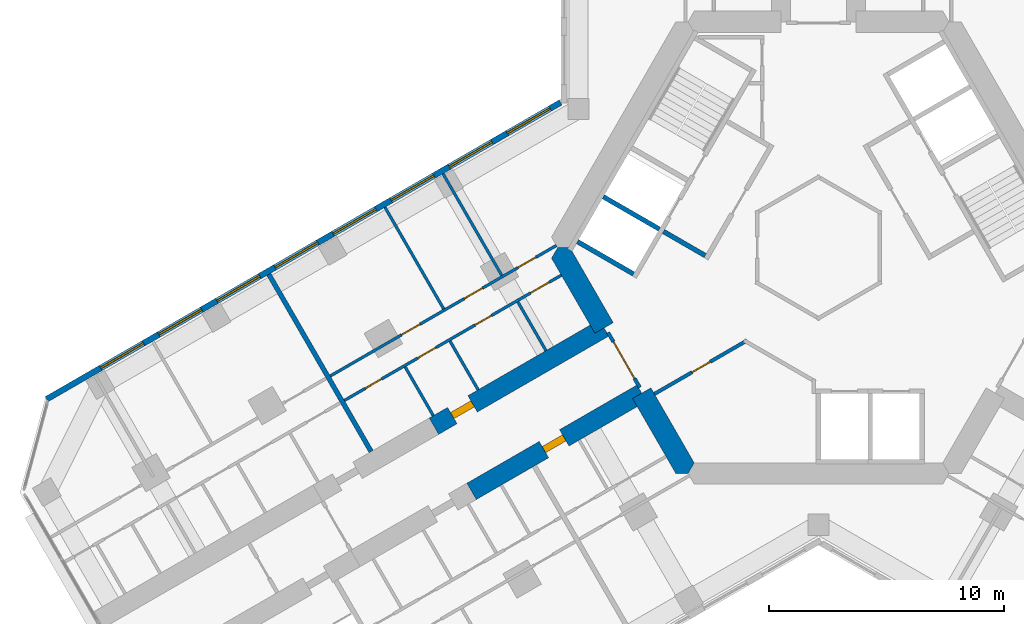
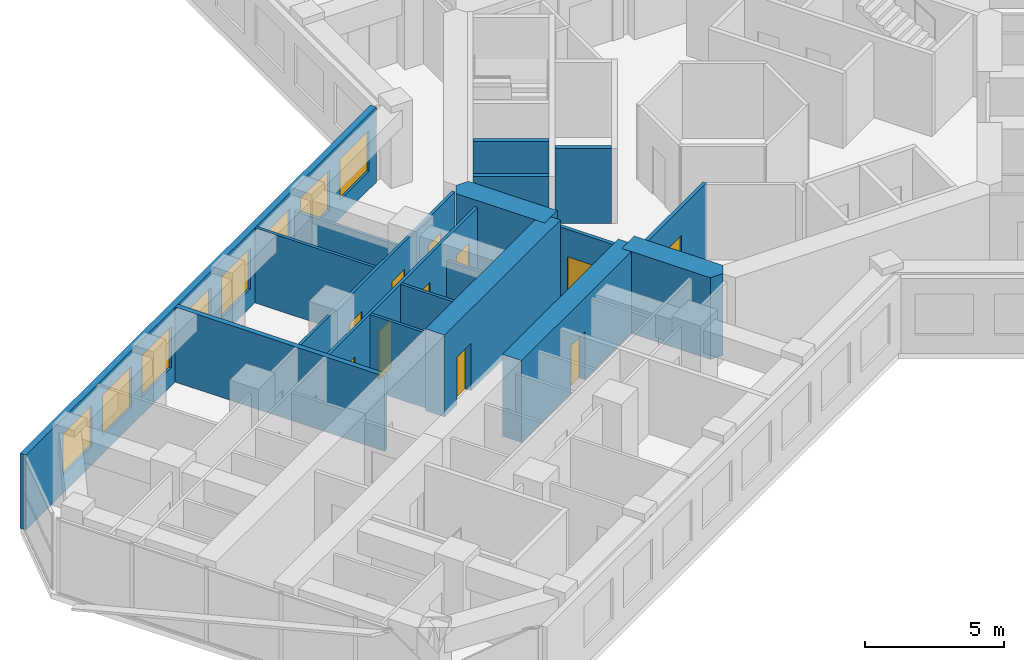
# One storey, part 12 of 20: 18 walls, 11 doors, 8 windows, 19 openings.
"""IFC4 building model written with IfcOpenShell, lengths in metres."""

from ifc_helpers import new_model, si_unit, direction, frame, frame_2d, origin, place, context, subcontext, project, spatial, polyline, rectangle, outline, extrude, material, layer, layer_set, type_object, element, fill, save


model = new_model("IFC4")

# Units and contexts
model_context = context("Model", 3, precision=1e-05, world=origin(), true_north=direction((0.0, 1.0)))
body_context = subcontext(model_context, "Body", "Model", "MODEL_VIEW")
ifc_project = project(units=[si_unit("LENGTHUNIT", "METRE"), si_unit("AREAUNIT", "SQUARE_METRE"), si_unit("VOLUMEUNIT", "CUBIC_METRE"), si_unit("PLANEANGLEUNIT", "RADIAN"), si_unit("MASSUNIT", "GRAM", prefix="KILO")], contexts=[model_context])

# Site, building, storey
site_placement = place(None, origin())
site = spatial("IfcSite", under=ifc_project, at=site_placement, CompositionType="ELEMENT")
building_placement = place(site_placement, origin())
building = spatial("IfcBuilding", under=site, at=building_placement, Name="Kosmar Iwan School Tower", CompositionType="ELEMENT")
storey_placement = place(building_placement, frame((0.0, 0.0, 183.199951171875)))
storey = spatial("IfcBuildingStorey", under=building, at=storey_placement, Name="L46", CompositionType="ELEMENT", Elevation=183.199951171875)

# Wall, opening, door
ifc_material_1 = material(Name="Gypsum board on steel studs, fire-rated", Category="steel")
ifc_layer_1 = layer(ifc_material_1, 0.14990234375)
ifc_layer_set_1 = layer_set([ifc_layer_1], Name="Core room partition 150")
wall_type_1 = type_object("IfcWallType", Name="Core room partition 150", PredefinedType="PARTITIONING", material=ifc_layer_set_1)
wall_1_placement = place(storey_placement, frame((-6.978515625, -6.222900390625, 0.0), z_axis=(0.0, 0.0, 1.0), x_axis=(0.866033797781, 0.49998546089, 0.0)))
wall_1 = element("IfcWall", 1, at=wall_1_placement, inside=storey, type_object=wall_type_1, Name="Core room partition L46-CW5", PredefinedType="PARTITIONING", context=body_context, shape_type="SweptSolid", body=[
    extrude(rectangle(XDim=4.553466796875, YDim=0.14990234375, at=frame_2d((2.27685546875, 0.0))), origin(), (0.0, 0.0, 1.0), 3.300048828125),
])
opening_1_placement = place(wall_1_placement, frame((1.846923828125, 0.0, 0.0)))
opening_1 = element("IfcOpeningElement", 2, at=opening_1_placement, cuts=wall_1, Name="Opening D14", PredefinedType="OPENING", context=body_context, shape_type="SweptSolid", body=[
    extrude(rectangle(XDim=0.89990234375, YDim=2.10009765625, at=frame_2d((0.449951171875, 1.050048828125))), frame((0.0, 0.0869140625, 0.0), z_axis=(0.0, -1.0, 0.0), x_axis=(1.0, 0.0, 0.0)), (0.0, 0.0, 1.0), 0.173828125),
])
ifc_material_2 = material(Name="Timber fire door in steel frame", Category="steel")
door_type_1 = type_object("IfcDoorType", Name="Core room door 900x2100", OperationType="SINGLE_SWING_LEFT", PredefinedType="DOOR", material=ifc_material_2)
door_1_placement = place(opening_1_placement, origin())
door_1 = element("IfcDoor", 3, at=door_1_placement, inside=storey, type_object=door_type_1, Name="Pram and buggy store door L46 3", OperationType="SINGLE_SWING_LEFT", OverallHeight=2.10009765625, OverallWidth=0.89990234375, PredefinedType="DOOR", context=body_context, shape_type="SweptSolid", body=[
    extrude(rectangle(XDim=0.89990234375, YDim=2.10009765625, at=frame_2d((0.449951171875, 1.050048828125))), frame((0.0, 0.02490234375, 0.0), z_axis=(0.0, -1.0, 0.0), x_axis=(1.0, 0.0, 0.0)), (0.0, 0.0, 1.0), 0.050048828125),
])
fill(opening_1, door_1)

# Walls
ifc_material_3 = material(Name="Concrete C50/60", Category="concrete")
ifc_layer_2 = layer(ifc_material_3, 0.89990234375)
ifc_layer_set_2 = layer_set([ifc_layer_2], Name="Core wall 900")
wall_type_2 = type_object("IfcWallType", Name="Core wall 900", PredefinedType="SHEAR", material=ifc_layer_set_2)
wall_2_placement = place(storey_placement, origin())
element("IfcWall", 4, at=wall_2_placement, inside=storey, type_object=wall_type_2, Name="Core wall F210a", PredefinedType="SHEAR", context=body_context, shape_type="SweptSolid", body=[
    extrude(outline(polyline([(-9.503662109375, -3.639404296875), (-8.72412109375, -3.189453125), (-10.5654296875, 0.0), (-11.085205078125, 0.0), (-11.344970703125, -0.449951171875), (-9.503662109375, -3.639404296875)])), origin(), (0.0, 0.0, 1.0), 3.60009765625),
])
wall_3_placement = place(storey_placement, origin())
element("IfcWall", 5, at=wall_3_placement, inside=storey, type_object=wall_type_2, Name="Core wall F210b", PredefinedType="SHEAR", context=body_context, shape_type="SweptSolid", body=[
    extrude(outline(polyline([(-6.062255859375, -9.60009765625), (-5.54248046875, -9.60009765625), (-5.28271484375, -9.14990234375), (-7.1240234375, -5.960693359375), (-7.903564453125, -6.41064453125), (-6.062255859375, -9.60009765625)])), origin(), (0.0, 0.0, 1.0), 3.60009765625),
])

# Wall, opening, door
ifc_material_4 = material(Name="Concrete C50/60", Category="concrete")
ifc_layer_3 = layer(ifc_material_4, 0.800048828125)
ifc_layer_set_3 = layer_set([ifc_layer_3], Name="Corridor buttress wall 800")
wall_type_3 = type_object("IfcWallType", Name="Corridor buttress wall 800", PredefinedType="SHEAR", material=ifc_layer_set_3)
wall_4_placement = place(storey_placement, frame((-7.513916015625, -6.185546875, 0.0), z_axis=(0.0, 0.0, 1.0), x_axis=(-0.866019549707, -0.500010139422, 0.0)))
wall_4 = element("IfcWall", 6, at=wall_4_placement, inside=storey, type_object=wall_type_3, Name="Corridor wall BL", PredefinedType="SHEAR", context=body_context, shape_type="SweptSolid", body=[
    extrude(rectangle(XDim=8.349853515625, YDim=0.800048828125, at=frame_2d((4.1748046875, 0.0))), origin(), (0.0, 0.0, 1.0), 3.60009765625),
])
opening_2_placement = place(wall_4_placement, frame((3.800048828125, 0.0, 0.0)))
opening_2 = element("IfcOpeningElement", 7, at=opening_2_placement, cuts=wall_4, Name="Opening D1", PredefinedType="OPENING", context=body_context, shape_type="SweptSolid", body=[
    extrude(rectangle(XDim=1.0, YDim=2.10009765625, at=frame_2d((0.5, 1.050048828125))), frame((0.0, 0.412109375, 0.0), z_axis=(0.0, -1.0, 0.0), x_axis=(1.0, 0.0, 0.0)), (0.0, 0.0, 1.0), 0.823974609375),
])
ifc_material_5 = material(Name="Timber fire door in steel frame", Category="steel")
door_type_2 = type_object("IfcDoorType", Name="Flat entrance door 1000x2100", OperationType="SINGLE_SWING_LEFT", PredefinedType="DOOR", material=ifc_material_5)
door_2_placement = place(opening_2_placement, origin())
door_2 = element("IfcDoor", 8, at=door_2_placement, inside=storey, type_object=door_type_2, Name="Flat L46-BL1 entrance door", OperationType="SINGLE_SWING_LEFT", OverallHeight=2.10009765625, OverallWidth=1.0, PredefinedType="DOOR", context=body_context, shape_type="SweptSolid", body=[
    extrude(rectangle(XDim=1.0, YDim=2.10009765625, at=frame_2d((0.5, 1.050048828125))), frame((0.0, 0.14990234375, 0.0), z_axis=(0.0, -1.0, 0.0), x_axis=(1.0, 0.0, 0.0)), (0.0, 0.0, 1.0), 0.300048828125),
])
fill(opening_2, door_2)

wall_5_placement = place(storey_placement, frame((-9.11376953125, -3.414306640625, 0.0), z_axis=(0.0, 0.0, 1.0), x_axis=(-0.866026859388, -0.499997478812, 0.0)))
wall_5 = element("IfcWall", 9, at=wall_5_placement, inside=storey, type_object=wall_type_3, Name="Corridor wall BR", PredefinedType="SHEAR", context=body_context, shape_type="SweptSolid", body=[
    extrude(rectangle(XDim=8.35009765625, YDim=0.800048828125, at=frame_2d((4.175048828125, 0.0))), origin(), (0.0, 0.0, 1.0), 3.60009765625),
])
opening_3_placement = place(wall_5_placement, frame((6.449951171875, 0.0, 0.0)))
opening_3 = element("IfcOpeningElement", 10, at=opening_3_placement, cuts=wall_5, Name="Opening D1", PredefinedType="OPENING", context=body_context, shape_type="SweptSolid", body=[
    extrude(rectangle(XDim=1.0, YDim=2.10009765625, at=frame_2d((0.5, 1.050048828125))), frame((0.0, 0.412109375, 0.0), z_axis=(0.0, -1.0, 0.0), x_axis=(1.0, 0.0, 0.0)), (0.0, 0.0, 1.0), 0.823974609375),
])
door_3_placement = place(opening_3_placement, origin())
door_3 = element("IfcDoor", 11, at=door_3_placement, inside=storey, type_object=door_type_2, Name="Flat L46-BR1 entrance door", OperationType="SINGLE_SWING_RIGHT", OverallHeight=2.10009765625, OverallWidth=1.0, PredefinedType="DOOR", context=body_context, shape_type="SweptSolid", body=[
    extrude(rectangle(XDim=1.0, YDim=2.10009765625, at=frame_2d((0.5, 1.050048828125))), frame((0.0, 0.14990234375, 0.0), z_axis=(0.0, -1.0, 0.0), x_axis=(1.0, 0.0, 0.0)), (0.0, 0.0, 1.0), 0.300048828125),
])
fill(opening_3, door_3)

ifc_material_6 = material(Name="Steel framed glazed screen", Category="steel")
ifc_layer_4 = layer(ifc_material_6, 0.14990234375)
ifc_layer_set_4 = layer_set([ifc_layer_4], Name="Corridor screen wall 150")
wall_type_4 = type_object("IfcWallType", Name="Corridor screen wall 150", PredefinedType="PARTITIONING", material=ifc_layer_set_4)
wall_6_placement = place(storey_placement, frame((-8.945556640625, -3.60595703125, 0.0), z_axis=(0.0, 0.0, 1.0), x_axis=(0.500048589285, -0.86599734893, 0.0)))
wall_6 = element("IfcWall", 12, at=wall_6_placement, inside=storey, type_object=wall_type_4, Name="Corridor screen B L46", PredefinedType="PARTITIONING", context=body_context, shape_type="SweptSolid", body=[
    extrude(rectangle(XDim=2.699951171875, YDim=0.14990234375, at=frame_2d((1.35009765625, 0.0))), origin(), (0.0, 0.0, 1.0), 3.300048828125),
])
opening_4_placement = place(wall_6_placement, frame((0.449951171875, 0.0, 0.0)))
opening_4 = element("IfcOpeningElement", 13, at=opening_4_placement, cuts=wall_6, Name="Opening D9", PredefinedType="OPENING", context=body_context, shape_type="SweptSolid", body=[
    extrude(rectangle(XDim=1.800048828125, YDim=2.10009765625, at=frame_2d((0.89990234375, 1.050048828125))), frame((0.0, 0.0869140625, 0.0), z_axis=(0.0, -1.0, 0.0), x_axis=(1.0, 0.0, 0.0)), (0.0, 0.0, 1.0), 0.173828125),
])
ifc_material_7 = material(Name="Steel framed glazed smoke door", Category="steel")
door_type_3 = type_object("IfcDoorType", Name="Corridor smoke door pair 1800x2100", OperationType="DOUBLE_DOOR_DOUBLE_SWING", PredefinedType="DOOR", material=ifc_material_7)
door_4_placement = place(opening_4_placement, origin())
door_4 = element("IfcDoor", 14, at=door_4_placement, inside=storey, type_object=door_type_3, Name="Corridor doors B L46", OperationType="DOUBLE_DOOR_DOUBLE_SWING", OverallHeight=2.10009765625, OverallWidth=1.800048828125, PredefinedType="DOOR", context=body_context, shape_type="SweptSolid", body=[
    extrude(rectangle(XDim=1.800048828125, YDim=2.10009765625, at=frame_2d((0.89990234375, 1.050048828125))), frame((0.0, 0.02490234375, 0.0), z_axis=(0.0, -1.0, 0.0), x_axis=(1.0, 0.0, 0.0)), (0.0, 0.0, 1.0), 0.050048828125),
])
fill(opening_4, door_4)

# Wall, openings, doors
ifc_material_8 = material(Name="Gypsum board on steel studs", Category="steel")
ifc_layer_5 = layer(ifc_material_8, 0.1201171875)
ifc_layer_set_5 = layer_set([ifc_layer_5], Name="Dwelling partition 120")
wall_type_5 = type_object("IfcWallType", Name="Dwelling partition 120", PredefinedType="PARTITIONING", material=ifc_layer_set_5)
wall_7_placement = place(storey_placement, frame((-10.928466796875, -1.171142578125, 0.0), z_axis=(0.0, 0.0, 1.0), x_axis=(-0.866032509089, -0.49998769305, 0.0)))
wall_7 = element("IfcWall", 15, at=wall_7_placement, inside=storey, type_object=wall_type_5, Name="Partition L46-BR1-W1", PredefinedType="PARTITIONING", context=body_context, shape_type="SweptSolid", body=[
    extrude(rectangle(XDim=10.650146484375, YDim=0.1201171875, at=frame_2d((5.3251953125, 0.0))), origin(), (0.0, 0.0, 1.0), 3.300048828125),
])
opening_5_placement = place(wall_7_placement, frame((0.610107421875, 0.0, 0.0)))
opening_5 = element("IfcOpeningElement", 16, at=opening_5_placement, cuts=wall_7, Name="Opening D2", PredefinedType="OPENING", context=body_context, shape_type="SweptSolid", body=[
    extrude(rectangle(XDim=0.89990234375, YDim=2.10009765625, at=frame_2d((0.449951171875, 1.050048828125))), frame((0.0, 0.072021484375, 0.0), z_axis=(0.0, -1.0, 0.0), x_axis=(1.0, 0.0, 0.0)), (0.0, 0.0, 1.0), 0.14404296875),
])
opening_6_placement = place(wall_7_placement, frame((3.43505859375, 0.0, 0.0)))
opening_6 = element("IfcOpeningElement", 17, at=opening_6_placement, cuts=wall_7, Name="Opening D3", PredefinedType="OPENING", context=body_context, shape_type="SweptSolid", body=[
    extrude(rectangle(XDim=0.800048828125, YDim=2.10009765625, at=frame_2d((0.39990234375, 1.050048828125))), frame((0.0, 0.072021484375, 0.0), z_axis=(0.0, -1.0, 0.0), x_axis=(1.0, 0.0, 0.0)), (0.0, 0.0, 1.0), 0.14404296875),
])
opening_7_placement = place(wall_7_placement, frame((6.14990234375, 0.0, 0.0)))
opening_7 = element("IfcOpeningElement", 18, at=opening_7_placement, cuts=wall_7, Name="Opening D2", PredefinedType="OPENING", context=body_context, shape_type="SweptSolid", body=[
    extrude(rectangle(XDim=0.89990234375, YDim=2.10009765625, at=frame_2d((0.449951171875, 1.050048828125))), frame((0.0, 0.072021484375, 0.0), z_axis=(0.0, -1.0, 0.0), x_axis=(1.0, 0.0, 0.0)), (0.0, 0.0, 1.0), 0.14404296875),
])
opening_8_placement = place(wall_7_placement, frame((8.824951171875, 0.0, 0.0)))
opening_8 = element("IfcOpeningElement", 19, at=opening_8_placement, cuts=wall_7, Name="Opening D3", PredefinedType="OPENING", context=body_context, shape_type="SweptSolid", body=[
    extrude(rectangle(XDim=0.800048828125, YDim=2.10009765625, at=frame_2d((0.39990234375, 1.050048828125))), frame((0.0, 0.072021484375, 0.0), z_axis=(0.0, -1.0, 0.0), x_axis=(1.0, 0.0, 0.0)), (0.0, 0.0, 1.0), 0.14404296875),
])
ifc_material_9 = material(Name="Timber door in timber frame", Category="wood")
door_type_4 = type_object("IfcDoorType", Name="Internal door 900x2100", OperationType="SINGLE_SWING_LEFT", PredefinedType="DOOR", material=ifc_material_9)
door_5_placement = place(opening_5_placement, origin())
door_5 = element("IfcDoor", 20, at=door_5_placement, inside=storey, type_object=door_type_4, Name="Pantry door L46-BR1-S1", OperationType="SINGLE_SWING_LEFT", OverallHeight=2.10009765625, OverallWidth=0.89990234375, PredefinedType="DOOR", context=body_context, shape_type="SweptSolid", body=[
    extrude(rectangle(XDim=0.89990234375, YDim=2.10009765625, at=frame_2d((0.449951171875, 1.050048828125))), frame((0.0, 0.02490234375, 0.0), z_axis=(0.0, -1.0, 0.0), x_axis=(1.0, 0.0, 0.0)), (0.0, 0.0, 1.0), 0.050048828125),
])
fill(opening_5, door_5)
door_6_placement = place(opening_7_placement, origin())
door_6 = element("IfcDoor", 21, at=door_6_placement, inside=storey, type_object=door_type_4, Name="Entrance hall door L46-BR1-S3", OperationType="SINGLE_SWING_LEFT", OverallHeight=2.10009765625, OverallWidth=0.89990234375, PredefinedType="DOOR", context=body_context, shape_type="SweptSolid", body=[
    extrude(rectangle(XDim=0.89990234375, YDim=2.10009765625, at=frame_2d((0.449951171875, 1.050048828125))), frame((0.0, 0.02490234375, 0.0), z_axis=(0.0, -1.0, 0.0), x_axis=(1.0, 0.0, 0.0)), (0.0, 0.0, 1.0), 0.050048828125),
])
fill(opening_7, door_6)
ifc_material_10 = material(Name="Timber door in timber frame", Category="wood")
door_type_5 = type_object("IfcDoorType", Name="Sanitary room door 800x2100", OperationType="SINGLE_SWING_LEFT", PredefinedType="DOOR", material=ifc_material_10)
door_7_placement = place(opening_6_placement, origin())
door_7 = element("IfcDoor", 22, at=door_7_placement, inside=storey, type_object=door_type_5, Name="Bathroom door L46-BR1-S2", OperationType="SINGLE_SWING_RIGHT", OverallHeight=2.10009765625, OverallWidth=0.800048828125, PredefinedType="DOOR", context=body_context, shape_type="SweptSolid", body=[
    extrude(rectangle(XDim=0.800048828125, YDim=2.10009765625, at=frame_2d((0.39990234375, 1.050048828125))), frame((0.0, 0.02490234375, 0.0), z_axis=(0.0, -1.0, 0.0), x_axis=(1.0, 0.0, 0.0)), (0.0, 0.0, 1.0), 0.050048828125),
])
fill(opening_6, door_7)
door_8_placement = place(opening_8_placement, origin())
door_8 = element("IfcDoor", 23, at=door_8_placement, inside=storey, type_object=door_type_5, Name="WC door L46-BR1-S4", OperationType="SINGLE_SWING_RIGHT", OverallHeight=2.10009765625, OverallWidth=0.800048828125, PredefinedType="DOOR", context=body_context, shape_type="SweptSolid", body=[
    extrude(rectangle(XDim=0.800048828125, YDim=2.10009765625, at=frame_2d((0.39990234375, 1.050048828125))), frame((0.0, 0.02490234375, 0.0), z_axis=(0.0, -1.0, 0.0), x_axis=(1.0, 0.0, 0.0)), (0.0, 0.0, 1.0), 0.050048828125),
])
fill(opening_8, door_8)

wall_8_placement = place(storey_placement, frame((-11.138916015625, 0.093017578125, 0.0), z_axis=(0.0, 0.0, 1.0), x_axis=(-0.866021494144, -0.500006771635, 0.0)))
wall_8 = element("IfcWall", 24, at=wall_8_placement, inside=storey, type_object=wall_type_5, Name="Partition L46-BR1-W2", PredefinedType="PARTITIONING", context=body_context, shape_type="SweptSolid", body=[
    extrude(rectangle(XDim=11.099853515625, YDim=0.1201171875, at=frame_2d((5.5498046875, 0.0))), origin(), (0.0, 0.0, 1.0), 3.300048828125),
])
opening_9_placement = place(wall_8_placement, frame((1.0, 0.0, 0.0)))
opening_9 = element("IfcOpeningElement", 25, at=opening_9_placement, cuts=wall_8, Name="Opening D2", PredefinedType="OPENING", context=body_context, shape_type="SweptSolid", body=[
    extrude(rectangle(XDim=0.89990234375, YDim=2.10009765625, at=frame_2d((0.449951171875, 1.050048828125))), frame((0.0, 0.072021484375, 0.0), z_axis=(0.0, -1.0, 0.0), x_axis=(1.0, 0.0, 0.0)), (0.0, 0.0, 1.0), 0.14404296875),
])
opening_10_placement = place(wall_8_placement, frame((3.625, 0.0, 0.0)))
opening_10 = element("IfcOpeningElement", 26, at=opening_10_placement, cuts=wall_8, Name="Opening D2", PredefinedType="OPENING", context=body_context, shape_type="SweptSolid", body=[
    extrude(rectangle(XDim=0.89990234375, YDim=2.10009765625, at=frame_2d((0.449951171875, 1.050048828125))), frame((0.0, 0.072021484375, 0.0), z_axis=(0.0, -1.0, 0.0), x_axis=(1.0, 0.0, 0.0)), (0.0, 0.0, 1.0), 0.14404296875),
])
opening_11_placement = place(wall_8_placement, frame((6.699951171875, 0.0, 0.0)))
opening_11 = element("IfcOpeningElement", 27, at=opening_11_placement, cuts=wall_8, Name="Opening D2", PredefinedType="OPENING", context=body_context, shape_type="SweptSolid", body=[
    extrude(rectangle(XDim=0.89990234375, YDim=2.10009765625, at=frame_2d((0.449951171875, 1.050048828125))), frame((0.0, 0.072021484375, 0.0), z_axis=(0.0, -1.0, 0.0), x_axis=(1.0, 0.0, 0.0)), (0.0, 0.0, 1.0), 0.14404296875),
])
door_9_placement = place(opening_9_placement, origin())
door_9 = element("IfcDoor", 28, at=door_9_placement, inside=storey, type_object=door_type_4, Name="Bedroom 1 door L46-BR1-F1", OperationType="SINGLE_SWING_LEFT", OverallHeight=2.10009765625, OverallWidth=0.89990234375, PredefinedType="DOOR", context=body_context, shape_type="SweptSolid", body=[
    extrude(rectangle(XDim=0.89990234375, YDim=2.10009765625, at=frame_2d((0.449951171875, 1.050048828125))), frame((0.0, 0.02490234375, 0.0), z_axis=(0.0, -1.0, 0.0), x_axis=(1.0, 0.0, 0.0)), (0.0, 0.0, 1.0), 0.050048828125),
])
fill(opening_9, door_9)
door_10_placement = place(opening_10_placement, origin())
door_10 = element("IfcDoor", 29, at=door_10_placement, inside=storey, type_object=door_type_4, Name="Study door L46-BR1-F2", OperationType="SINGLE_SWING_LEFT", OverallHeight=2.10009765625, OverallWidth=0.89990234375, PredefinedType="DOOR", context=body_context, shape_type="SweptSolid", body=[
    extrude(rectangle(XDim=0.89990234375, YDim=2.10009765625, at=frame_2d((0.449951171875, 1.050048828125))), frame((0.0, 0.02490234375, 0.0), z_axis=(0.0, -1.0, 0.0), x_axis=(1.0, 0.0, 0.0)), (0.0, 0.0, 1.0), 0.050048828125),
])
fill(opening_10, door_10)
door_11_placement = place(opening_11_placement, origin())
door_11 = element("IfcDoor", 30, at=door_11_placement, inside=storey, type_object=door_type_4, Name="Family room and kitchen door L46-BR1-F3", OperationType="SINGLE_SWING_RIGHT", OverallHeight=2.10009765625, OverallWidth=0.89990234375, PredefinedType="DOOR", context=body_context, shape_type="SweptSolid", body=[
    extrude(rectangle(XDim=0.89990234375, YDim=2.10009765625, at=frame_2d((0.449951171875, 1.050048828125))), frame((0.0, 0.02490234375, 0.0), z_axis=(0.0, -1.0, 0.0), x_axis=(1.0, 0.0, 0.0)), (0.0, 0.0, 1.0), 0.050048828125),
])
fill(opening_11, door_11)

# Walls
wall_9_placement = place(storey_placement, frame((-13.4638671875, -1.179931640625, 0.0), z_axis=(0.0, 0.0, 1.0), x_axis=(-0.499975153383, 0.86603974851, 0.0)))
element("IfcWall", 31, at=wall_9_placement, inside=storey, type_object=wall_type_5, Name="Partition L46-BR1-X1", PredefinedType="PARTITIONING", context=body_context, shape_type="SweptSolid", body=[
    extrude(rectangle(XDim=4.989990234375, YDim=0.1201171875, at=frame_2d((2.4951171875, 0.0))), origin(), (0.0, 0.0, 1.0), 2.300048828125),
])
wall_10_placement = place(storey_placement, frame((-15.931884765625, -2.60498046875, 0.0), z_axis=(0.0, 0.0, 1.0), x_axis=(-0.500011847778, 0.866018563358, 0.0)))
element("IfcWall", 32, at=wall_10_placement, inside=storey, type_object=wall_type_5, Name="Partition L46-BR1-X2", PredefinedType="PARTITIONING", context=body_context, shape_type="SweptSolid", body=[
    extrude(rectangle(XDim=4.990234375, YDim=0.1201171875, at=frame_2d((2.4951171875, 0.0))), origin(), (0.0, 0.0, 1.0), 3.300048828125),
])
wall_11_placement = place(storey_placement, frame((-11.582763671875, -4.3779296875, 0.0), z_axis=(0.0, 0.0, 1.0), x_axis=(-0.500017192868, 0.86601547725, 0.0)))
element("IfcWall", 33, at=wall_11_placement, inside=storey, type_object=wall_type_5, Name="Partition L46-BR1-Y1", PredefinedType="PARTITIONING", context=body_context, shape_type="SweptSolid", body=[
    extrude(rectangle(XDim=2.39013671875, YDim=0.1201171875, at=frame_2d((1.195068359375, 0.0))), origin(), (0.0, 0.0, 1.0), 2.300048828125),
])
wall_12_placement = place(storey_placement, frame((-14.466796875, -6.04296875, 0.0), z_axis=(0.0, 0.0, 1.0), x_axis=(-0.499940577336, 0.866059708757, 0.0)))
element("IfcWall", 34, at=wall_12_placement, inside=storey, type_object=wall_type_5, Name="Partition L46-BR1-Y2", PredefinedType="PARTITIONING", context=body_context, shape_type="SweptSolid", body=[
    extrude(rectangle(XDim=2.389892578125, YDim=0.1201171875, at=frame_2d((1.19482421875, 0.0))), origin(), (0.0, 0.0, 1.0), 3.300048828125),
])
wall_13_placement = place(storey_placement, frame((-16.371826171875, -7.14306640625, 0.0), z_axis=(0.0, 0.0, 1.0), x_axis=(-0.500017192868, 0.86601547725, 0.0)))
element("IfcWall", 35, at=wall_13_placement, inside=storey, type_object=wall_type_5, Name="Partition L46-BR1-Y3", PredefinedType="PARTITIONING", context=body_context, shape_type="SweptSolid", body=[
    extrude(rectangle(XDim=2.39013671875, YDim=0.1201171875, at=frame_2d((1.195068359375, 0.0))), origin(), (0.0, 0.0, 1.0), 3.300048828125),
])

# Wall, openings, windows
ifc_material_11 = material(Name="Black aluminium rainscreen on insulated framing", Category="aluminium")
ifc_layer_6 = layer(ifc_material_11, 0.25)
ifc_layer_set_6 = layer_set([ifc_layer_6], Name="External wall rainscreen 250")
wall_type_6 = type_object("IfcWallType", Name="External wall rainscreen 250", PredefinedType="SOLIDWALL", material=ifc_layer_set_6)
wall_14_placement = place(storey_placement, frame((-10.962890625, 6.170166015625, 0.0), z_axis=(0.0, 0.0, 1.0), x_axis=(-0.86602796634, -0.499995561497, 0.0)))
wall_14 = element("IfcWall", 36, at=wall_14_placement, inside=storey, type_object=wall_type_6, Name="External wall BR L46", PredefinedType="SOLIDWALL", context=body_context, shape_type="SweptSolid", body=[
    extrude(rectangle(XDim=25.226318359375, YDim=0.25, at=frame_2d((12.61328125, 0.0))), origin(), (0.0, 0.0, 1.0), 3.300048828125),
])
opening_12_placement = place(wall_14_placement, frame((0.51611328125, 0.0, 0.800048828125)))
opening_12 = element("IfcOpeningElement", 37, at=opening_12_placement, cuts=wall_14, Name="Opening W4", PredefinedType="OPENING", context=body_context, shape_type="SweptSolid", body=[
    extrude(rectangle(XDim=2.10009765625, YDim=1.800048828125, at=frame_2d((1.050048828125, 0.89990234375))), frame((0.0, 0.136962890625, 0.0), z_axis=(0.0, -1.0, 0.0), x_axis=(1.0, 0.0, 0.0)), (0.0, 0.0, 1.0), 0.27392578125),
])
opening_13_placement = place(wall_14_placement, frame((3.365966796875, 0.0, 0.800048828125)))
opening_13 = element("IfcOpeningElement", 38, at=opening_13_placement, cuts=wall_14, Name="Opening W4", PredefinedType="OPENING", context=body_context, shape_type="SweptSolid", body=[
    extrude(rectangle(XDim=2.10009765625, YDim=1.800048828125, at=frame_2d((1.050048828125, 0.89990234375))), frame((0.0, 0.136962890625, 0.0), z_axis=(0.0, -1.0, 0.0), x_axis=(1.0, 0.0, 0.0)), (0.0, 0.0, 1.0), 0.27392578125),
])
opening_14_placement = place(wall_14_placement, frame((6.216064453125, 0.0, 0.800048828125)))
opening_14 = element("IfcOpeningElement", 39, at=opening_14_placement, cuts=wall_14, Name="Opening W4", PredefinedType="OPENING", context=body_context, shape_type="SweptSolid", body=[
    extrude(rectangle(XDim=2.10009765625, YDim=1.800048828125, at=frame_2d((1.050048828125, 0.89990234375))), frame((0.0, 0.136962890625, 0.0), z_axis=(0.0, -1.0, 0.0), x_axis=(1.0, 0.0, 0.0)), (0.0, 0.0, 1.0), 0.27392578125),
])
opening_15_placement = place(wall_14_placement, frame((9.06591796875, 0.0, 0.800048828125)))
opening_15 = element("IfcOpeningElement", 40, at=opening_15_placement, cuts=wall_14, Name="Opening W4", PredefinedType="OPENING", context=body_context, shape_type="SweptSolid", body=[
    extrude(rectangle(XDim=2.10009765625, YDim=1.800048828125, at=frame_2d((1.050048828125, 0.89990234375))), frame((0.0, 0.136962890625, 0.0), z_axis=(0.0, -1.0, 0.0), x_axis=(1.0, 0.0, 0.0)), (0.0, 0.0, 1.0), 0.27392578125),
])
opening_16_placement = place(wall_14_placement, frame((11.916015625, 0.0, 0.800048828125)))
opening_16 = element("IfcOpeningElement", 41, at=opening_16_placement, cuts=wall_14, Name="Opening W4", PredefinedType="OPENING", context=body_context, shape_type="SweptSolid", body=[
    extrude(rectangle(XDim=2.10009765625, YDim=1.800048828125, at=frame_2d((1.050048828125, 0.89990234375))), frame((0.0, 0.136962890625, 0.0), z_axis=(0.0, -1.0, 0.0), x_axis=(1.0, 0.0, 0.0)), (0.0, 0.0, 1.0), 0.27392578125),
])
opening_17_placement = place(wall_14_placement, frame((14.76611328125, 0.0, 0.800048828125)))
opening_17 = element("IfcOpeningElement", 42, at=opening_17_placement, cuts=wall_14, Name="Opening W4", PredefinedType="OPENING", context=body_context, shape_type="SweptSolid", body=[
    extrude(rectangle(XDim=2.10009765625, YDim=1.800048828125, at=frame_2d((1.050048828125, 0.89990234375))), frame((0.0, 0.136962890625, 0.0), z_axis=(0.0, -1.0, 0.0), x_axis=(1.0, 0.0, 0.0)), (0.0, 0.0, 1.0), 0.27392578125),
])
opening_18_placement = place(wall_14_placement, frame((17.615966796875, 0.0, 0.800048828125)))
opening_18 = element("IfcOpeningElement", 43, at=opening_18_placement, cuts=wall_14, Name="Opening W4", PredefinedType="OPENING", context=body_context, shape_type="SweptSolid", body=[
    extrude(rectangle(XDim=2.10009765625, YDim=1.800048828125, at=frame_2d((1.050048828125, 0.89990234375))), frame((0.0, 0.136962890625, 0.0), z_axis=(0.0, -1.0, 0.0), x_axis=(1.0, 0.0, 0.0)), (0.0, 0.0, 1.0), 0.27392578125),
])
opening_19_placement = place(wall_14_placement, frame((20.466064453125, 0.0, 0.800048828125)))
opening_19 = element("IfcOpeningElement", 44, at=opening_19_placement, cuts=wall_14, Name="Opening W4", PredefinedType="OPENING", context=body_context, shape_type="SweptSolid", body=[
    extrude(rectangle(XDim=2.10009765625, YDim=1.800048828125, at=frame_2d((1.050048828125, 0.89990234375))), frame((0.0, 0.136962890625, 0.0), z_axis=(0.0, -1.0, 0.0), x_axis=(1.0, 0.0, 0.0)), (0.0, 0.0, 1.0), 0.27392578125),
])
ifc_material_12 = material(Name="Black aluminium frame with dark triple glazing", Category="aluminium")
window_type = type_object("IfcWindowType", Name="Window 2100x1800", PartitioningType="SINGLE_PANEL", PredefinedType="WINDOW", material=ifc_material_12)
window_1_placement = place(opening_12_placement, origin())
window_1 = element("IfcWindow", 45, at=window_1_placement, inside=storey, type_object=window_type, Name="Window BR L46 -1", OverallHeight=1.800048828125, OverallWidth=2.10009765625, PartitioningType="SINGLE_PANEL", PredefinedType="WINDOW", context=body_context, shape_type="SweptSolid", body=[
    extrude(rectangle(XDim=2.10009765625, YDim=1.800048828125, at=frame_2d((1.050048828125, 0.89990234375))), frame((0.0, 0.030029296875, 0.0), z_axis=(0.0, -1.0, 0.0), x_axis=(1.0, 0.0, 0.0)), (0.0, 0.0, 1.0), 0.06005859375),
])
fill(opening_12, window_1)
window_2_placement = place(opening_13_placement, origin())
window_2 = element("IfcWindow", 46, at=window_2_placement, inside=storey, type_object=window_type, Name="Window BR L46 0", OverallHeight=1.800048828125, OverallWidth=2.10009765625, PartitioningType="SINGLE_PANEL", PredefinedType="WINDOW", context=body_context, shape_type="SweptSolid", body=[
    extrude(rectangle(XDim=2.10009765625, YDim=1.800048828125, at=frame_2d((1.050048828125, 0.89990234375))), frame((0.0, 0.030029296875, 0.0), z_axis=(0.0, -1.0, 0.0), x_axis=(1.0, 0.0, 0.0)), (0.0, 0.0, 1.0), 0.06005859375),
])
fill(opening_13, window_2)
window_3_placement = place(opening_14_placement, origin())
window_3 = element("IfcWindow", 47, at=window_3_placement, inside=storey, type_object=window_type, Name="Window BR L46 1", OverallHeight=1.800048828125, OverallWidth=2.10009765625, PartitioningType="SINGLE_PANEL", PredefinedType="WINDOW", context=body_context, shape_type="SweptSolid", body=[
    extrude(rectangle(XDim=2.10009765625, YDim=1.800048828125, at=frame_2d((1.050048828125, 0.89990234375))), frame((0.0, 0.030029296875, 0.0), z_axis=(0.0, -1.0, 0.0), x_axis=(1.0, 0.0, 0.0)), (0.0, 0.0, 1.0), 0.06005859375),
])
fill(opening_14, window_3)
window_4_placement = place(opening_15_placement, origin())
window_4 = element("IfcWindow", 48, at=window_4_placement, inside=storey, type_object=window_type, Name="Window BR L46 2", OverallHeight=1.800048828125, OverallWidth=2.10009765625, PartitioningType="SINGLE_PANEL", PredefinedType="WINDOW", context=body_context, shape_type="SweptSolid", body=[
    extrude(rectangle(XDim=2.10009765625, YDim=1.800048828125, at=frame_2d((1.050048828125, 0.89990234375))), frame((0.0, 0.030029296875, 0.0), z_axis=(0.0, -1.0, 0.0), x_axis=(1.0, 0.0, 0.0)), (0.0, 0.0, 1.0), 0.06005859375),
])
fill(opening_15, window_4)
window_5_placement = place(opening_16_placement, origin())
window_5 = element("IfcWindow", 49, at=window_5_placement, inside=storey, type_object=window_type, Name="Window BR L46 3", OverallHeight=1.800048828125, OverallWidth=2.10009765625, PartitioningType="SINGLE_PANEL", PredefinedType="WINDOW", context=body_context, shape_type="SweptSolid", body=[
    extrude(rectangle(XDim=2.10009765625, YDim=1.800048828125, at=frame_2d((1.050048828125, 0.89990234375))), frame((0.0, 0.030029296875, 0.0), z_axis=(0.0, -1.0, 0.0), x_axis=(1.0, 0.0, 0.0)), (0.0, 0.0, 1.0), 0.06005859375),
])
fill(opening_16, window_5)
window_6_placement = place(opening_17_placement, origin())
window_6 = element("IfcWindow", 50, at=window_6_placement, inside=storey, type_object=window_type, Name="Window BR L46 4", OverallHeight=1.800048828125, OverallWidth=2.10009765625, PartitioningType="SINGLE_PANEL", PredefinedType="WINDOW", context=body_context, shape_type="SweptSolid", body=[
    extrude(rectangle(XDim=2.10009765625, YDim=1.800048828125, at=frame_2d((1.050048828125, 0.89990234375))), frame((0.0, 0.030029296875, 0.0), z_axis=(0.0, -1.0, 0.0), x_axis=(1.0, 0.0, 0.0)), (0.0, 0.0, 1.0), 0.06005859375),
])
fill(opening_17, window_6)
window_7_placement = place(opening_18_placement, origin())
window_7 = element("IfcWindow", 51, at=window_7_placement, inside=storey, type_object=window_type, Name="Window BR L46 5", OverallHeight=1.800048828125, OverallWidth=2.10009765625, PartitioningType="SINGLE_PANEL", PredefinedType="WINDOW", context=body_context, shape_type="SweptSolid", body=[
    extrude(rectangle(XDim=2.10009765625, YDim=1.800048828125, at=frame_2d((1.050048828125, 0.89990234375))), frame((0.0, 0.030029296875, 0.0), z_axis=(0.0, -1.0, 0.0), x_axis=(1.0, 0.0, 0.0)), (0.0, 0.0, 1.0), 0.06005859375),
])
fill(opening_18, window_7)
window_8_placement = place(opening_19_placement, origin())
window_8 = element("IfcWindow", 52, at=window_8_placement, inside=storey, type_object=window_type, Name="Window BR L46 6", OverallHeight=1.800048828125, OverallWidth=2.10009765625, PartitioningType="SINGLE_PANEL", PredefinedType="WINDOW", context=body_context, shape_type="SweptSolid", body=[
    extrude(rectangle(XDim=2.10009765625, YDim=1.800048828125, at=frame_2d((1.050048828125, 0.89990234375))), frame((0.0, 0.030029296875, 0.0), z_axis=(0.0, -1.0, 0.0), x_axis=(1.0, 0.0, 0.0)), (0.0, 0.0, 1.0), 0.06005859375),
])
fill(opening_19, window_8)

# Walls
ifc_material_13 = material(Name="Concrete block masonry", Category="masonry")
ifc_layer_7 = layer(ifc_material_13, 0.199951171875)
ifc_layer_set_7 = layer_set([ifc_layer_7], Name="Fire lobby wall 200")
wall_type_7 = type_object("IfcWallType", Name="Fire lobby wall 200", PredefinedType="PARTITIONING", material=ifc_layer_set_7)
wall_15_placement = place(storey_placement, frame((-4.814208984375, -0.33837890625, 0.0), z_axis=(0.0, 0.0, 1.0), x_axis=(-0.865969381856, 0.500097020274, 0.0)))
element("IfcWall", 53, at=wall_15_placement, inside=storey, type_object=wall_type_7, Name="Firefighting lobby wall ST2", PredefinedType="PARTITIONING", context=body_context, shape_type="SweptSolid", body=[
    extrude(rectangle(XDim=2.0498046875, YDim=0.199951171875, at=frame_2d((1.02490234375, 0.0))), origin(), (0.0, 0.0, 1.0), 3.300048828125),
])
ifc_material_14 = material(Name="Concrete C50/60", Category="concrete")
ifc_layer_8 = layer(ifc_material_14, 0.199951171875)
ifc_layer_set_8 = layer_set([ifc_layer_8], Name="Lift shaft wall 200")
wall_type_8 = type_object("IfcWallType", Name="Lift shaft wall 200", PredefinedType="SHEAR", material=ifc_layer_set_8)
for number, where, z_axis, x_axis, name in (
    (54, (-6.7626953125, 0.78662109375, 0.0), (0.0, 0.0, 1.0), (-0.866027397988, 0.499996545922, 0.0), "Lift shaft wall AB 1"),
    (55, (-7.862548828125, -1.118408203125, 0.0), (0.0, 0.0, 1.0), (-0.866027397988, 0.499996545922, 0.0), "Lift shaft wall AB 2"),
):
    element("IfcWall", number, at=place(storey_placement, frame(where, z_axis=z_axis, x_axis=x_axis)), inside=storey, type_object=wall_type_8, Name=name, PredefinedType="SHEAR", context=body_context, shape_type="SweptSolid", body=[
        extrude(rectangle(XDim=2.75, YDim=0.199951171875, at=frame_2d((1.375, 0.0))), origin(), (0.0, 0.0, 1.0), 3.60009765625),
    ])
ifc_material_15 = material(Name="Concrete block masonry", Category="masonry")
ifc_layer_9 = layer(ifc_material_15, 0.199951171875)
ifc_layer_set_9 = layer_set([ifc_layer_9], Name="Party wall 200")
wall_type_9 = type_object("IfcWallType", Name="Party wall 200", PredefinedType="PARTITIONING", material=ifc_layer_set_9)
wall_16_placement = place(storey_placement, frame((-19.013427734375, -8.66796875, 0.0), z_axis=(0.0, 0.0, 1.0), x_axis=(-0.499987231761, 0.866032775405, 0.0)))
element("IfcWall", 56, at=wall_16_placement, inside=storey, type_object=wall_type_9, Name="Partition L46-BR2-PW", PredefinedType="PARTITIONING", context=body_context, shape_type="SweptSolid", body=[
    extrude(rectangle(XDim=8.699951171875, YDim=0.199951171875, at=frame_2d((4.35009765625, 0.0))), origin(), (0.0, 0.0, 1.0), 3.300048828125),
])

save(model, "model.ifc")
